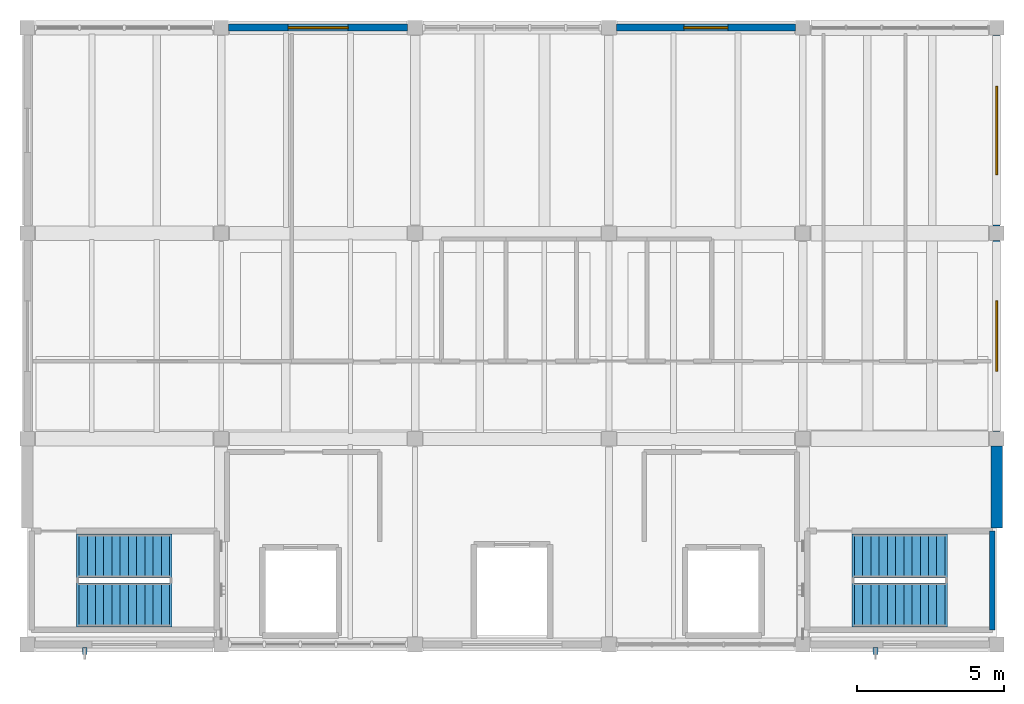
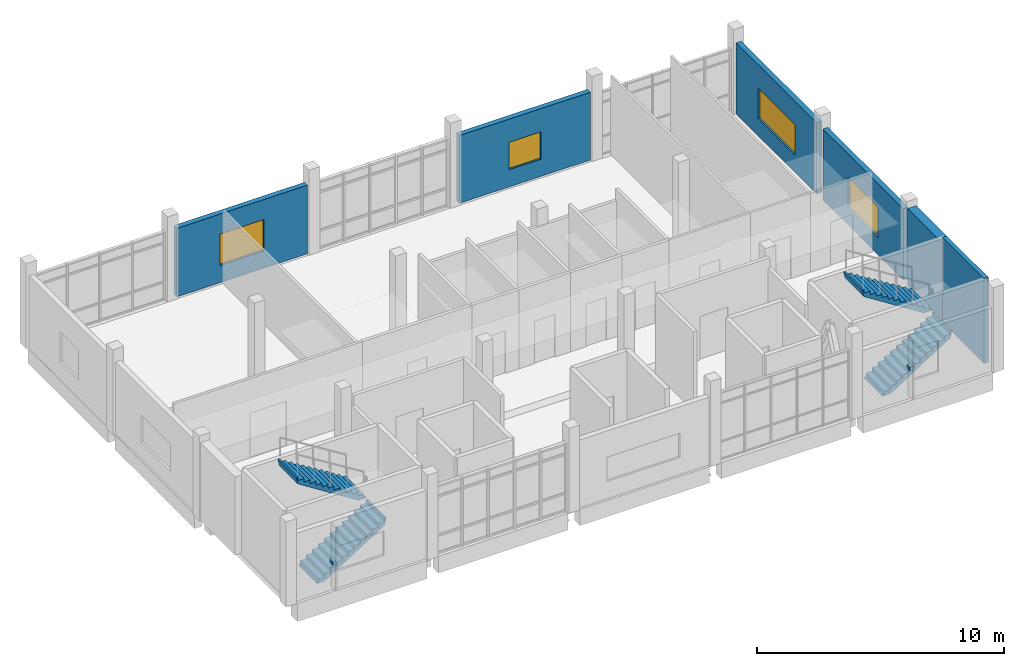
# One storey, part 9 of 10: 6 walls, 4 stair flights, 4 windows, 2 discrete accessories, 4 openings, 2 elements without a shape of their own.
"""IFC4 building model written with IfcOpenShell, lengths in metres."""

from ifc_helpers import new_model, si_unit, direction, frame, frame_2d, origin, origin_2d, place, context, subcontext, project, spatial, polyline, rectangle, outline, extrude, material, layer, layer_set, type_object, element, fill, aggregate, save


model = new_model("IFC4")

# Units and contexts
model_context = context("Model", 3, precision=1e-05, world=origin(), true_north=direction((0.0, 1.0)))
body_context = subcontext(model_context, "Body", "Model", "MODEL_VIEW")
ifc_project = project(units=[si_unit("LENGTHUNIT", "METRE"), si_unit("AREAUNIT", "SQUARE_METRE"), si_unit("VOLUMEUNIT", "CUBIC_METRE"), si_unit("PLANEANGLEUNIT", "RADIAN"), si_unit("MASSUNIT", "GRAM", prefix="KILO")], contexts=[model_context])

# Site, building, storey
site_placement = place(None, origin())
site = spatial("IfcSite", under=ifc_project, at=site_placement, CompositionType="ELEMENT")
building_placement = place(site_placement, origin())
building = spatial("IfcBuilding", under=site, at=building_placement, Name="Ciguamira Faculty of Natural Sciences", CompositionType="ELEMENT")
storey_placement = place(building_placement, frame((0.0, 0.0, 42.0)))
storey = spatial("IfcBuildingStorey", under=building, at=storey_placement, Name="L10", CompositionType="ELEMENT", Elevation=42.0)

# Wall, opening, window
ifc_material_1 = material(Name="Precast concrete C40/50", Category="concrete")
ifc_layer_1 = layer(ifc_material_1, 0.239990234375, Name="Precast concrete C40/50")
ifc_layer_set_1 = layer_set([ifc_layer_1], Name="Precast concrete C40/50")
wall_type_1 = type_object("IfcWallType", Name="ExtWall_EW-02_240", PredefinedType="SOLIDWALL", material=ifc_layer_set_1)
wall_1_placement = place(storey_placement, frame((77.35009765625, 115.0, 0.0), z_axis=(0.0, 0.0, 1.0), x_axis=(1.0, 0.0, 0.0)))
wall_1 = element("IfcWall", 1, at=wall_1_placement, inside=storey, type_object=wall_type_1, Name="L10 exterior wall 0399", PredefinedType="SOLIDWALL", context=body_context, shape_type="SweptSolid", body=[
    extrude(rectangle(XDim=6.099853515625, YDim=0.239990234375, at=frame_2d((3.0498046875, 0.0))), origin(), (0.0, 0.0, 1.0), 3.385009765625),
])
opening_1_placement = place(wall_1_placement, frame((2.02490234375, 0.0, 0.85009765625)))
opening_1 = element("IfcOpeningElement", 2, at=opening_1_placement, cuts=wall_1, Name="Opening WT-40", PredefinedType="OPENING", context=body_context, shape_type="SweptSolid", body=[
    extrude(rectangle(XDim=2.050048828125, YDim=1.550048828125, at=frame_2d((1.02490234375, 0.77490234375))), frame((0.0, 0.1298828125, 0.0), z_axis=(0.0, -1.0, 0.0), x_axis=(1.0, 0.0, 0.0)), (0.0, 0.0, 1.0), 0.260009765625),
])
ifc_material_2 = material(Name="Hurricane laminated solar glass", Category="glass")
window_type_1 = type_object("IfcWindowType", Name="Window_WT-40_2050x1550", PartitioningType="DOUBLE_PANEL_VERTICAL", PredefinedType="WINDOW", material=ifc_material_2)
window_1_placement = place(opening_1_placement, origin())
window_1 = element("IfcWindow", 3, at=window_1_placement, inside=storey, type_object=window_type_1, Name="L10 facade window 0281", OverallHeight=1.550048828125, OverallWidth=2.050048828125, PartitioningType="SINGLE_PANEL", PredefinedType="WINDOW", context=body_context, shape_type="SweptSolid", body=[
    extrude(rectangle(XDim=2.050048828125, YDim=1.550048828125, at=frame_2d((1.02490234375, 0.77490234375))), frame((0.0, 0.030029296875, 0.0), z_axis=(0.0, -1.0, 0.0), x_axis=(1.0, 0.0, 0.0)), (0.0, 0.0, 1.0), 0.06005859375),
])
fill(opening_1, window_1)

wall_2_placement = place(storey_placement, frame((90.550048828125, 115.0, 0.0), z_axis=(0.0, 0.0, 1.0), x_axis=(1.0, 0.0, 0.0)))
wall_2 = element("IfcWall", 4, at=wall_2_placement, inside=storey, type_object=wall_type_1, Name="L10 exterior wall 0400", PredefinedType="SOLIDWALL", context=body_context, shape_type="SweptSolid", body=[
    extrude(rectangle(XDim=6.099853515625, YDim=0.239990234375, at=frame_2d((3.0498046875, 0.0))), origin(), (0.0, 0.0, 1.0), 3.344970703125),
])
opening_2_placement = place(wall_2_placement, frame((2.300048828125, 0.0, 0.85009765625)))
opening_2 = element("IfcOpeningElement", 5, at=opening_2_placement, cuts=wall_2, Name="Opening WT-03", PredefinedType="OPENING", context=body_context, shape_type="SweptSolid", body=[
    extrude(rectangle(XDim=1.5, YDim=1.35009765625, at=frame_2d((0.75, 0.675048828125))), frame((0.0, 0.1298828125, 0.0), z_axis=(0.0, -1.0, 0.0), x_axis=(1.0, 0.0, 0.0)), (0.0, 0.0, 1.0), 0.260009765625),
])
window_type_2 = type_object("IfcWindowType", Name="Window_WT-03_1500x1350", PartitioningType="DOUBLE_PANEL_VERTICAL", PredefinedType="WINDOW", material=ifc_material_2)
window_2_placement = place(opening_2_placement, origin())
window_2 = element("IfcWindow", 6, at=window_2_placement, inside=storey, type_object=window_type_2, Name="L10 facade window 0282", OverallHeight=1.35009765625, OverallWidth=1.5, PartitioningType="SINGLE_PANEL", PredefinedType="WINDOW", context=body_context, shape_type="SweptSolid", body=[
    extrude(rectangle(XDim=1.5, YDim=1.35009765625, at=frame_2d((0.75, 0.675048828125))), frame((0.0, 0.030029296875, 0.0), z_axis=(0.0, -1.0, 0.0), x_axis=(1.0, 0.0, 0.0)), (0.0, 0.0, 1.0), 0.06005859375),
])
fill(opening_2, window_2)

wall_3_placement = place(storey_placement, frame((103.5, 101.25, 0.0), z_axis=(0.0, 0.0, 1.0), x_axis=(0.0, 1.0, 0.0)))
wall_3 = element("IfcWall", 7, at=wall_3_placement, inside=storey, type_object=wall_type_1, Name="L10 exterior wall 0405", PredefinedType="SOLIDWALL", context=body_context, shape_type="SweptSolid", body=[
    extrude(rectangle(XDim=6.5, YDim=0.239990234375, at=frame_2d((3.25, 0.0))), origin(), (0.0, 0.0, 1.0), 3.5048828125),
])
opening_3_placement = place(wall_3_placement, frame((2.050048828125, 0.0, 0.85009765625)))
opening_3 = element("IfcOpeningElement", 8, at=opening_3_placement, cuts=wall_3, Name="Opening WT-12", PredefinedType="OPENING", context=body_context, shape_type="SweptSolid", body=[
    extrude(rectangle(XDim=2.39990234375, YDim=1.5, at=frame_2d((1.199951171875, 0.75))), frame((0.0, 0.1298828125, 0.0), z_axis=(0.0, -1.0, 0.0), x_axis=(1.0, 0.0, 0.0)), (0.0, 0.0, 1.0), 0.260009765625),
])
window_type_3 = type_object("IfcWindowType", Name="Window_WT-12_2400x1500", PartitioningType="DOUBLE_PANEL_VERTICAL", PredefinedType="WINDOW", material=ifc_material_2)
window_3_placement = place(opening_3_placement, origin())
window_3 = element("IfcWindow", 9, at=window_3_placement, inside=storey, type_object=window_type_3, Name="L10 facade window 0285", OverallHeight=1.5, OverallWidth=2.39990234375, PartitioningType="SINGLE_PANEL", PredefinedType="WINDOW", context=body_context, shape_type="SweptSolid", body=[
    extrude(rectangle(XDim=2.39990234375, YDim=1.5, at=frame_2d((1.199951171875, 0.75))), frame((0.0, 0.030029296875, 0.0), z_axis=(0.0, -1.0, 0.0), x_axis=(1.0, 0.0, 0.0)), (0.0, 0.0, 1.0), 0.06005859375),
])
fill(opening_3, window_3)

wall_4_placement = place(storey_placement, frame((103.5, 108.25, 0.0), z_axis=(0.0, 0.0, 1.0), x_axis=(0.0, 1.0, 0.0)))
wall_4 = element("IfcWall", 10, at=wall_4_placement, inside=storey, type_object=wall_type_1, Name="L10 exterior wall 0406", PredefinedType="SOLIDWALL", context=body_context, shape_type="SweptSolid", body=[
    extrude(rectangle(XDim=6.5, YDim=0.239990234375, at=frame_2d((3.25, 0.0))), origin(), (0.0, 0.0, 1.0), 3.5048828125),
])
opening_4_placement = place(wall_4_placement, frame((1.75, 0.0, 0.85009765625)))
opening_4 = element("IfcOpeningElement", 11, at=opening_4_placement, cuts=wall_4, Name="Opening WT-14", PredefinedType="OPENING", context=body_context, shape_type="SweptSolid", body=[
    extrude(rectangle(XDim=3.0, YDim=1.5, at=frame_2d((1.5, 0.75))), frame((0.0, 0.1298828125, 0.0), z_axis=(0.0, -1.0, 0.0), x_axis=(1.0, 0.0, 0.0)), (0.0, 0.0, 1.0), 0.260009765625),
])
window_type_4 = type_object("IfcWindowType", Name="Window_WT-14_3000x1500", PartitioningType="DOUBLE_PANEL_VERTICAL", PredefinedType="WINDOW", material=ifc_material_2)
window_4_placement = place(opening_4_placement, origin())
window_4 = element("IfcWindow", 12, at=window_4_placement, inside=storey, type_object=window_type_4, Name="L10 facade window 0286", OverallHeight=1.5, OverallWidth=3.0, PartitioningType="SINGLE_PANEL", PredefinedType="WINDOW", context=body_context, shape_type="SweptSolid", body=[
    extrude(rectangle(XDim=3.0, YDim=1.5, at=frame_2d((1.5, 0.75))), frame((0.0, 0.030029296875, 0.0), z_axis=(0.0, -1.0, 0.0), x_axis=(1.0, 0.0, 0.0)), (0.0, 0.0, 1.0), 0.06005859375),
])
fill(opening_4, window_4)

# Walls
ifc_material_3 = material(Name="Concrete C40/50", Category="concrete")
ifc_layer_2 = layer(ifc_material_3, 0.39990234375, Name="Concrete C40/50")
ifc_layer_set_2 = layer_set([ifc_layer_2], Name="Concrete C40/50")
wall_type_2 = type_object("IfcWallType", Name="ExtWall_RW-02_400", PredefinedType="SHEAR", material=ifc_layer_set_2)
wall_5_placement = place(storey_placement, frame((103.5, 97.9599609375, 0.0), z_axis=(0.0, 0.0, 1.0), x_axis=(0.0, 1.0, 0.0)))
element("IfcWall", 13, at=wall_5_placement, inside=storey, type_object=wall_type_2, Name="L10 exterior wall 0404", PredefinedType="SHEAR", context=body_context, shape_type="SweptSolid", body=[
    extrude(rectangle(XDim=2.7900390625, YDim=0.39990234375, at=frame_2d((1.39501953125, 0.0))), origin(), (0.0, 0.0, 1.0), 3.85009765625),
])
ifc_layer_3 = layer(ifc_material_3, 0.199951171875, Name="Concrete C40/50")
ifc_layer_set_3 = layer_set([ifc_layer_3], Name="Concrete C40/50")
wall_type_3 = type_object("IfcWallType", Name="IntWall_CW-S20_200", PredefinedType="SHEAR", material=ifc_layer_set_3)
wall_6_placement = place(storey_placement, frame((103.35009765625, 94.5, 0.0), z_axis=(0.0, 0.0, 1.0), x_axis=(0.0, 1.0, 0.0)))
element("IfcWall", 14, at=wall_6_placement, inside=storey, type_object=wall_type_3, Name="L10 ST-T2 core shear wall east", PredefinedType="SHEAR", context=body_context, shape_type="SweptSolid", body=[
    extrude(rectangle(XDim=3.360107421875, YDim=0.199951171875, at=frame_2d((1.68017578125, 0.0))), origin(), (0.0, 0.0, 1.0), 4.199951171875),
])

# Stair, stair flights
stair_type_1 = type_object("IfcStairType", Name="Stair_STR-01", PredefinedType="HALF_TURN_STAIR", material=ifc_material_3)
stair_1_placement = place(storey_placement, origin())
stair_1 = element("IfcStair", 15, at=stair_1_placement, inside=storey, type_object=stair_type_1, Name="L10 Tower West Exit Stair", PredefinedType="HALF_TURN_STAIR")
stair_flight_type_1 = type_object("IfcStairFlightType", Name="StairFlight_SFL-01", PredefinedType="STRAIGHT", material=ifc_material_1)
stair_flight_1_placement = place(storey_placement, frame((72.260009765625, 95.35009765625, 0.0), z_axis=(0.0, 0.0, 1.0), x_axis=(1.0, 0.0, 0.0)))
stair_flight_1 = element("IfcStairFlight", 16, at=stair_flight_1_placement, type_object=stair_flight_type_1, Name="ST-T1 flight 1", NumberOfRisers=12, NumberOfTreads=11, PredefinedType="STRAIGHT", RiserHeight=0.175, TreadLength=0.28, context=body_context, shape_type="SweptSolid", body=[
    extrude(outline(polyline([(-0.080078125, -0.034912109375), (-0.080078125, 0.0), (0.0, 0.0), (0.0, 0.175048828125), (0.280029296875, 0.175048828125), (0.280029296875, 0.35009765625), (0.56005859375, 0.35009765625), (0.56005859375, 0.52490234375), (0.840087890625, 0.52490234375), (0.840087890625, 0.699951171875), (1.1201171875, 0.699951171875), (1.1201171875, 0.875), (1.39990234375, 0.875), (1.39990234375, 1.050048828125), (1.679931640625, 1.050048828125), (1.679931640625, 1.22509765625), (1.9599609375, 1.22509765625), (1.9599609375, 1.39990234375), (2.239990234375, 1.39990234375), (2.239990234375, 1.574951171875), (2.52001953125, 1.574951171875), (2.52001953125, 1.75), (2.800048828125, 1.75), (2.800048828125, 1.925048828125), (3.080078125, 1.925048828125), (3.080078125, 2.10009765625), (3.16015625, 2.10009765625), (3.16015625, 2.065185546875), (3.080078125, 1.748291015625), (0.28271484375, -0.034912109375), (-0.080078125, -0.034912109375)])), frame((0.0, 0.75, 0.0), z_axis=(0.0, -1.0, 0.0), x_axis=(1.0, 0.0, 0.0)), (0.0, 0.0, 1.0), 1.5),
])
stair_flight_2_placement = place(storey_placement, frame((75.340087890625, 97.010009765625, 2.10009765625), z_axis=(0.0, 0.0, 1.0), x_axis=(-1.0, 0.0, 0.0)))
stair_flight_2 = element("IfcStairFlight", 17, at=stair_flight_2_placement, type_object=stair_flight_type_1, Name="ST-T1 flight 2", NumberOfRisers=12, NumberOfTreads=11, PredefinedType="STRAIGHT", RiserHeight=0.175, TreadLength=0.28, context=body_context, shape_type="SweptSolid", body=[
    extrude(outline(polyline([(-0.080078125, -0.034912109375), (-0.080078125, 0.0), (0.0, 0.0), (0.0, 0.175048828125), (0.280029296875, 0.175048828125), (0.280029296875, 0.35009765625), (0.56005859375, 0.35009765625), (0.56005859375, 0.52490234375), (0.840087890625, 0.52490234375), (0.840087890625, 0.699951171875), (1.1201171875, 0.699951171875), (1.1201171875, 0.875), (1.39990234375, 0.875), (1.39990234375, 1.050048828125), (1.679931640625, 1.050048828125), (1.679931640625, 1.22509765625), (1.9599609375, 1.22509765625), (1.9599609375, 1.39990234375), (2.239990234375, 1.39990234375), (2.239990234375, 1.574951171875), (2.52001953125, 1.574951171875), (2.52001953125, 1.75), (2.800048828125, 1.75), (2.800048828125, 1.925048828125), (3.080078125, 1.925048828125), (3.080078125, 2.10009765625), (3.16015625, 2.10009765625), (3.16015625, 2.065185546875), (3.080078125, 1.748291015625), (0.28271484375, -0.034912109375), (-0.080078125, -0.034912109375)])), frame((0.0, 0.75, 0.0), z_axis=(0.0, -1.0, 0.0), x_axis=(1.0, 0.0, 0.0)), (0.0, 0.0, 1.0), 1.5),
])
aggregate(stair_1, [stair_flight_1, stair_flight_2])

stair_type_2 = type_object("IfcStairType", Name="Stair_STR-02", PredefinedType="HALF_TURN_STAIR", material=ifc_material_3)
stair_2_placement = place(storey_placement, origin())
stair_2 = element("IfcStair", 18, at=stair_2_placement, inside=storey, type_object=stair_type_2, Name="L10 Tower East Exit Stair", PredefinedType="HALF_TURN_STAIR")
stair_flight_type_2 = type_object("IfcStairFlightType", Name="StairFlight_SFL-02", PredefinedType="STRAIGHT", material=ifc_material_1)
stair_flight_3_placement = place(storey_placement, frame((98.659912109375, 95.35009765625, 0.0), z_axis=(0.0, 0.0, 1.0), x_axis=(1.0, 0.0, 0.0)))
stair_flight_3 = element("IfcStairFlight", 19, at=stair_flight_3_placement, type_object=stair_flight_type_2, Name="ST-T2 flight 1", NumberOfRisers=12, NumberOfTreads=11, PredefinedType="STRAIGHT", RiserHeight=0.175, TreadLength=0.28, context=body_context, shape_type="SweptSolid", body=[
    extrude(outline(polyline([(-0.080078125, -0.034912109375), (-0.080078125, 0.0), (0.0, 0.0), (0.0, 0.175048828125), (0.280029296875, 0.175048828125), (0.280029296875, 0.35009765625), (0.56005859375, 0.35009765625), (0.56005859375, 0.52490234375), (0.840087890625, 0.52490234375), (0.840087890625, 0.699951171875), (1.1201171875, 0.699951171875), (1.1201171875, 0.875), (1.39990234375, 0.875), (1.39990234375, 1.050048828125), (1.679931640625, 1.050048828125), (1.679931640625, 1.22509765625), (1.9599609375, 1.22509765625), (1.9599609375, 1.39990234375), (2.239990234375, 1.39990234375), (2.239990234375, 1.574951171875), (2.52001953125, 1.574951171875), (2.52001953125, 1.75), (2.800048828125, 1.75), (2.800048828125, 1.925048828125), (3.080078125, 1.925048828125), (3.080078125, 2.10009765625), (3.16015625, 2.10009765625), (3.16015625, 2.065185546875), (3.080078125, 1.748291015625), (0.28271484375, -0.034912109375), (-0.080078125, -0.034912109375)])), frame((0.0, 0.75, 0.0), z_axis=(0.0, -1.0, 0.0), x_axis=(1.0, 0.0, 0.0)), (0.0, 0.0, 1.0), 1.5),
])
stair_flight_4_placement = place(storey_placement, frame((101.739990234375, 97.010009765625, 2.10009765625), z_axis=(0.0, 0.0, 1.0), x_axis=(-1.0, 0.0, 0.0)))
stair_flight_4 = element("IfcStairFlight", 20, at=stair_flight_4_placement, type_object=stair_flight_type_2, Name="ST-T2 flight 2", NumberOfRisers=12, NumberOfTreads=11, PredefinedType="STRAIGHT", RiserHeight=0.175, TreadLength=0.28, context=body_context, shape_type="SweptSolid", body=[
    extrude(outline(polyline([(-0.080078125, -0.034912109375), (-0.080078125, 0.0), (0.0, 0.0), (0.0, 0.175048828125), (0.280029296875, 0.175048828125), (0.280029296875, 0.35009765625), (0.56005859375, 0.35009765625), (0.56005859375, 0.52490234375), (0.840087890625, 0.52490234375), (0.840087890625, 0.699951171875), (1.1201171875, 0.699951171875), (1.1201171875, 0.875), (1.39990234375, 0.875), (1.39990234375, 1.050048828125), (1.679931640625, 1.050048828125), (1.679931640625, 1.22509765625), (1.9599609375, 1.22509765625), (1.9599609375, 1.39990234375), (2.239990234375, 1.39990234375), (2.239990234375, 1.574951171875), (2.52001953125, 1.574951171875), (2.52001953125, 1.75), (2.800048828125, 1.75), (2.800048828125, 1.925048828125), (3.080078125, 1.925048828125), (3.080078125, 2.10009765625), (3.16015625, 2.10009765625), (3.16015625, 2.065185546875), (3.080078125, 1.748291015625), (0.28271484375, -0.034912109375), (-0.080078125, -0.034912109375)])), frame((0.0, 0.75, 0.0), z_axis=(0.0, -1.0, 0.0), x_axis=(1.0, 0.0, 0.0)), (0.0, 0.0, 1.0), 1.5),
])
aggregate(stair_2, [stair_flight_3, stair_flight_4])

# Discrete accessories
ifc_material_4 = material(Name="Stainless steel fixing bracket", Category="steel")
discrete_accessory_type = type_object("IfcDiscreteAccessoryType", Name="FacadeBracket_BK01", PredefinedType="BRACKET", material=ifc_material_4)
for number, where, z_axis, x_axis, name in (
    (21, (72.449951171875, 93.780029296875, 1.3701171875), (0.0, 0.0, 1.0), (1.0, 0.0, 0.0), "L10 sunshade fixing bracket 0038"),
    (22, (99.375, 93.780029296875, 1.544921875), (0.0, 0.0, 1.0), (1.0, 0.0, 0.0), "L10 sunshade fixing bracket 0039"),
):
    element("IfcDiscreteAccessory", number, at=place(storey_placement, frame(where, z_axis=z_axis, x_axis=x_axis)), inside=storey, type_object=discrete_accessory_type, Name=name, PredefinedType="BRACKET", context=body_context, shape_type="SweptSolid", body=[
        extrude(rectangle(XDim=0.159912109375, YDim=0.239990234375, at=origin_2d()), origin(), (0.0, 0.0, 1.0), 0.159912109375),
    ])

save(model, "model.ifc")
